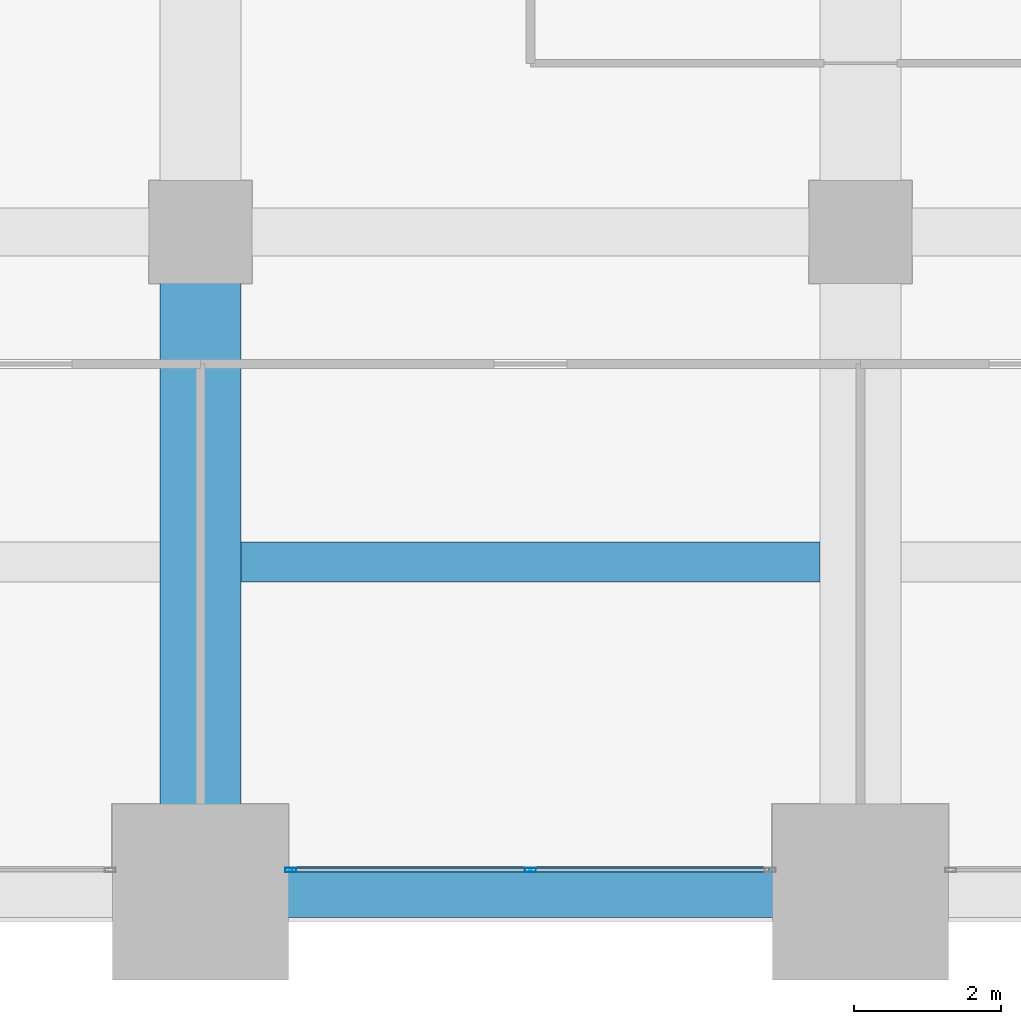
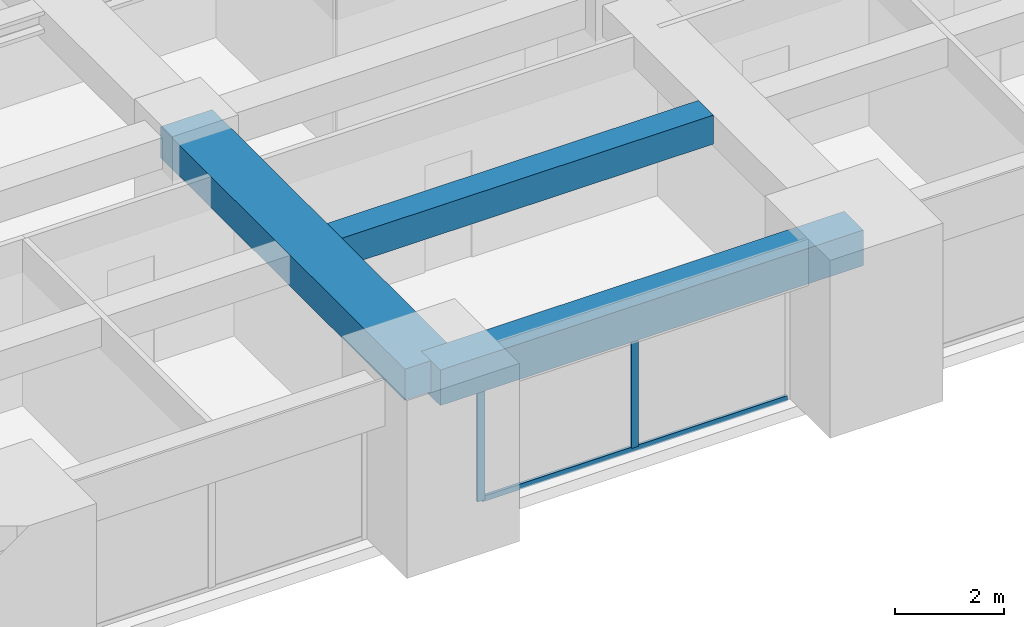
# One storey, part 7 of 34: 3 beams, 3 members, 1 element without a shape of its own.
"""IFC4 building model written with IfcOpenShell, lengths in metres."""

import ifcopenshell
import ifcopenshell.guid

model = None  # the IFC model being written
_history = None  # IfcOwnerHistory: only IFC2X3 demands one
_inside = {}  # id of a spatial element -> (the spatial element, [elements in it])
_under = {}  # id of a project, library or spatial element -> (it, [spatial elements below it])
_declared = {}  # id of a project -> (the project, [libraries it declares])
_typed = {}  # id of a type object -> (the type object, [elements of that type])
_made_of = {}  # id of a material, layer set ... -> (it, [elements and type objects made of it])


def new_model(schema):
    """Start an empty IFC model of exactly this schema.

    Asked for "IFC4X3", IfcOpenShell would pick the latest addendum, in which some entities
    have other attributes; the version numbers below select the first issue.
    IFC2X3 requires an IfcOwnerHistory on every rooted entity: one is made here for all.
    """
    global model, _history
    if schema == "IFC4X3":
        model = ifcopenshell.file(schema_version=(4, 3, 0, 0))
    else:
        model = ifcopenshell.file(schema=schema)
    _inside.clear()
    _under.clear()
    _declared.clear()
    _typed.clear()
    _made_of.clear()
    _history = None
    if model.schema == "IFC2X3":
        org = make("IfcOrganization", Name="unknown")
        user = make(
            "IfcPersonAndOrganization",
            ThePerson=make("IfcPerson", FamilyName="unknown"),
            TheOrganization=org,
        )
        app = make(
            "IfcApplication",
            ApplicationDeveloper=org,
            Version="unknown",
            ApplicationFullName="unknown",
            ApplicationIdentifier="unknown",
        )
        _history = make(
            "IfcOwnerHistory",
            OwningUser=user,
            OwningApplication=app,
            ChangeAction="ADDED",
            CreationDate=0,
        )
    return model


def make(cls, **values):
    """One entity of the class cls with the attributes given. An attribute that is None is left unset."""
    return model.create_entity(
        cls, **{name: value for name, value in values.items() if value is not None}
    )


def rooted(cls, **values):
    """An entity with a GlobalId (a new one), such as an element, a storey or a relation."""
    return make(cls, GlobalId=ifcopenshell.guid.new(), OwnerHistory=_history, **values)


def si_unit(unit_type, name, prefix=None):
    """IfcSIUnit, for example si_unit("LENGTHUNIT", "METRE", prefix="MILLI")."""
    return make("IfcSIUnit", UnitType=unit_type, Prefix=prefix, Name=name)


def assignment(units):
    """IfcUnitAssignment: the units of a project."""
    return None if units is None else make("IfcUnitAssignment", Units=units)


def point(xyz):
    """IfcCartesianPoint."""
    return None if xyz is None else make("IfcCartesianPoint", Coordinates=xyz)


def direction(xyz):
    """IfcDirection."""
    return None if xyz is None else make("IfcDirection", DirectionRatios=xyz)


def frame(location, z_axis=None, x_axis=None):
    """IfcAxis2Placement3D, a coordinate frame: its origin and axes. An axis left out is left unset."""
    return make(
        "IfcAxis2Placement3D",
        Location=point(location),
        Axis=direction(z_axis),
        RefDirection=direction(x_axis),
    )


def frame_2d(location, x_axis=None):
    """IfcAxis2Placement2D, a coordinate frame in the plane: its origin and x axis."""
    return make(
        "IfcAxis2Placement2D", Location=point(location), RefDirection=direction(x_axis)
    )


def origin():
    """The frame at (0, 0, 0) with its axes left unset."""
    return frame((0.0, 0.0, 0.0))


def origin_2d():
    """The frame at (0, 0) in the plane with its x axis left unset."""
    return frame_2d((0.0, 0.0))


def place(relative_to, where):
    """IfcLocalPlacement: puts the frame where relative to a parent placement (None: the world)."""
    return make(
        "IfcLocalPlacement", PlacementRelTo=relative_to, RelativePlacement=where
    )


def context(
    kind, dimensions, precision=None, world=None, true_north=None, identifier=None
):
    """IfcGeometricRepresentationContext, for example the 3D "Model" context."""
    return make(
        "IfcGeometricRepresentationContext",
        ContextIdentifier=identifier,
        ContextType=kind,
        CoordinateSpaceDimension=dimensions,
        Precision=precision,
        WorldCoordinateSystem=world,
        TrueNorth=true_north,
    )


def subcontext(parent, identifier, kind, view, scale=None):
    """IfcGeometricRepresentationSubContext, for example "Body" below "Model"."""
    return make(
        "IfcGeometricRepresentationSubContext",
        ContextIdentifier=identifier,
        ContextType=kind,
        ParentContext=parent,
        TargetScale=scale,
        TargetView=view,
    )


def project(units=None, contexts=None):
    """IfcProject with its units and contexts."""
    return rooted(
        "IfcProject",
        Name="project",
        RepresentationContexts=contexts,
        UnitsInContext=assignment(units),
    )


def spatial(cls, under=None, at=None, **own):
    """A site, building, storey or space (cls), placed at a placement, below another one or the project."""
    s = rooted(cls, ObjectPlacement=at, **own)
    if under is not None:
        _under.setdefault(under.id(), (under, []))[1].append(s)
    return s


def profile(cls, at=None, kind="AREA", **sizes):
    """A parametric profile (cls). Its sizes go by their IFC names, for example OverallWidth=200.0."""
    return make(cls, ProfileType=kind, Position=at, **sizes)


def rectangle(**sizes):
    """IfcRectangleProfileDef."""
    return profile("IfcRectangleProfileDef", **sizes)


def hollow_rectangle(**sizes):
    """IfcRectangleHollowProfileDef."""
    return profile("IfcRectangleHollowProfileDef", **sizes)


def extrude(swept, where, along, depth):
    """IfcExtrudedAreaSolid: the profile swept, set in the frame where, extruded along a direction by depth."""
    return make(
        "IfcExtrudedAreaSolid",
        SweptArea=swept,
        Position=where,
        ExtrudedDirection=direction(along),
        Depth=depth,
    )


def shape(context_of_items, identifier, shape_type, items):
    """IfcShapeRepresentation: the items that make up one representation, for example the "Body"."""
    return make(
        "IfcShapeRepresentation",
        ContextOfItems=context_of_items,
        RepresentationIdentifier=identifier,
        RepresentationType=shape_type,
        Items=items,
    )


def material(Name=None, Category=None):
    """IfcMaterial."""
    return make("IfcMaterial", Name=Name, Category=Category)


def material_profile(
    of_material, cross_section, Name=None, Category=None, Priority=None
):
    """IfcMaterialProfile: a cross section and its material."""
    return make(
        "IfcMaterialProfile",
        Name=Name,
        Material=of_material,
        Profile=cross_section,
        Priority=Priority,
        Category=Category,
    )


def profile_set(profiles, Name=None, composite=None):
    """IfcMaterialProfileSet."""
    return make(
        "IfcMaterialProfileSet",
        Name=Name,
        MaterialProfiles=profiles,
        CompositeProfile=composite,
    )


def made_of(thing, what):
    """Note that an element or type object is made of a material, layer set ...; save() writes the relation."""
    if what is not None:
        _made_of.setdefault(what.id(), (what, []))[1].append(thing)
    return thing


def type_object(cls, material=None, **own):
    """A type object (cls), such as IfcWallType, which elements share."""
    return made_of(rooted(cls, **own), material)


def element(
    cls,
    number,
    at=None,
    inside=None,
    cuts=None,
    type_object=None,
    material=None,
    context=None,
    identifier="Body",
    shape_type=None,
    held_by="IfcProductDefinitionShape",
    body=None,
    shapes=None,
    **own,
):
    """One element of the class cls, such as IfcWall. Its Tag is "e" and its number.

    at: its placement. inside: the storey or other place that contains it. cuts: it is an
    opening in that element (IfcRelVoidsElement). A single representation is given by context,
    identifier, shape_type and body (its items); several are given by shapes. held_by: the class
    of the entity that holds the representations. save() writes the other relations.
    """
    e = rooted(cls, Tag="e%d" % number, ObjectPlacement=at, **own)
    if body is not None:
        shapes = [shape(context, identifier, shape_type, body)]
    if shapes is not None:
        e.Representation = make(held_by, Representations=shapes)
    if inside is not None:
        _inside.setdefault(inside.id(), (inside, []))[1].append(e)
    if cuts is not None:
        rooted(
            "IfcRelVoidsElement", RelatingBuildingElement=cuts, RelatedOpeningElement=e
        )
    if type_object is not None:
        _typed.setdefault(type_object.id(), (type_object, []))[1].append(e)
    return made_of(e, material)


def aggregate(whole, parts):
    """IfcRelAggregates: a whole, such as a stair, and the parts it consists of."""
    return rooted("IfcRelAggregates", RelatingObject=whole, RelatedObjects=parts)


def save(model, path):
    """Write the relations noted so far, then the file.

    IfcRelAggregates (storeys below a building ...), IfcRelContainedInSpatialStructure (elements
    in a storey), IfcRelDefinesByType, IfcRelAssociatesMaterial and IfcRelDeclares: one each for
    every whole, place, type object, material and project.
    """
    for whole, parts in _under.values():
        aggregate(whole, parts)
    for where, things in _inside.values():
        rooted(
            "IfcRelContainedInSpatialStructure",
            RelatedElements=things,
            RelatingStructure=where,
        )
    for kind, things in _typed.values():
        rooted("IfcRelDefinesByType", RelatedObjects=things, RelatingType=kind)
    for what, things in _made_of.values():
        rooted("IfcRelAssociatesMaterial", RelatedObjects=things, RelatingMaterial=what)
    for by, libraries in _declared.values():
        rooted("IfcRelDeclares", RelatingContext=by, RelatedDefinitions=libraries)
    model.write(path)


model = new_model("IFC4")

# Units and contexts
model_context = context("Model", 3, precision=1e-05, world=origin(), true_north=direction((0.0, 1.0)))
body_context = subcontext(model_context, "Body", "Model", "MODEL_VIEW")
ifc_project = project(units=[si_unit("LENGTHUNIT", "METRE"), si_unit("AREAUNIT", "SQUARE_METRE"), si_unit("VOLUMEUNIT", "CUBIC_METRE"), si_unit("PLANEANGLEUNIT", "RADIAN"), si_unit("MASSUNIT", "GRAM", prefix="KILO")], contexts=[model_context])

# Site, building, storey
site_placement = place(None, origin())
site = spatial("IfcSite", under=ifc_project, at=site_placement, CompositionType="ELEMENT")
building_placement = place(site_placement, origin())
building = spatial("IfcBuilding", under=site, at=building_placement, Name="Zorevar Civic Tower", CompositionType="ELEMENT")
storey_placement = place(building_placement, frame((0.0, 0.0, 214.199951171875)))
storey = spatial("IfcBuildingStorey", under=building, at=storey_placement, Name="L52", CompositionType="ELEMENT", Elevation=214.199951171875)

# Beams
ifc_material_1 = material(Name="Concrete C50/60", Category="concrete")
ifc_material_profile_1 = material_profile(ifc_material_1, rectangle(XDim=1.10009765625, YDim=0.699951171875, at=origin_2d()), Name="RC 1100x700")
ifc_profile_set_1 = profile_set([ifc_material_profile_1], Name="Concrete C50/60")
beam_type_1 = type_object("IfcBeamType", Name="Beam RC 1100x700", PredefinedType="BEAM", material=ifc_profile_set_1)
beam_1_placement = place(storey_placement, frame((27.0, 0.0, 3.400146484375), z_axis=(0.0, 1.0, 0.0), x_axis=(-1.0, 0.0, 0.0)))
element("IfcBeam", 1, at=beam_1_placement, inside=storey, type_object=beam_type_1, Name="Girder L53", PredefinedType="BEAM", context=body_context, shape_type="SweptSolid", body=[
    extrude(rectangle(XDim=1.10009765625, YDim=0.699951171875, at=origin_2d()), origin(), (0.0, 0.0, 1.0), 9.0),
])
ifc_material_2 = material(Name="Concrete C50/60", Category="concrete")
ifc_material_profile_2 = material_profile(ifc_material_2, rectangle(XDim=0.550048828125, YDim=0.64990234375, at=origin_2d()), Name="RC 550x650")
ifc_profile_set_2 = profile_set([ifc_material_profile_2], Name="Concrete C50/60")
beam_type_2 = type_object("IfcBeamType", Name="Beam RC 550x650", PredefinedType="BEAM", material=ifc_profile_set_2)
beam_2_placement = place(storey_placement, frame((27.550048828125, 4.5, 3.425048828125), z_axis=(1.0, 0.0, 0.0), x_axis=(0.0, 1.0, 0.0)))
element("IfcBeam", 2, at=beam_2_placement, inside=storey, type_object=beam_type_2, Name="Secondary beam L53", PredefinedType="BEAM", context=body_context, shape_type="SweptSolid", body=[
    extrude(rectangle(XDim=0.550048828125, YDim=0.64990234375, at=origin_2d()), origin(), (0.0, 0.0, 1.0), 7.89990234375),
])

# Curtain wall, members
ifc_material_3 = material(Name="Dark grey solar-control glass in black aluminium frame", Category="aluminium")
curtain_wall_type = type_object("IfcCurtainWallType", Name="Curtain wall CW4 high zone", PredefinedType="NOTDEFINED", material=ifc_material_3)
curtain_wall_placement = place(storey_placement, origin())
curtain_wall = element("IfcCurtainWall", 3, at=curtain_wall_placement, inside=storey, type_object=curtain_wall_type, Name="CW4 L52", PredefinedType="NOTDEFINED")
ifc_material_4 = material(Name="Aluminium, black anodised", Category="aluminium")
ifc_material_profile_3 = material_profile(ifc_material_4, hollow_rectangle(XDim=0.06005859375, YDim=0.14990234375, WallThickness=0.00390625, at=origin_2d()), Name="AL 150x60x4")
ifc_profile_set_3 = profile_set([ifc_material_profile_3], Name="Aluminium, black anodised")
member_type_1 = type_object("IfcMemberType", Name="CW4 mullion AL 150x60x4", PredefinedType="MULLION", material=ifc_profile_set_3)
member_1_placement = place(storey_placement, frame((28.22998046875, 0.300048828125, 0.0), z_axis=(0.0, 0.0, 1.0), x_axis=(0.0, 1.0, 0.0)))
member_1 = element("IfcMember", 4, at=member_1_placement, type_object=member_type_1, Name="CW4 mullion 1", PredefinedType="MULLION", context=body_context, shape_type="SweptSolid", body=[
    extrude(hollow_rectangle(XDim=0.06005859375, YDim=0.14990234375, WallThickness=0.00390625, at=origin_2d()), origin(), (0.0, 0.0, 1.0), 2.949951171875),
])
member_2_placement = place(storey_placement, frame((31.5, 0.300048828125, 0.06005859375), z_axis=(0.0, 0.0, 1.0), x_axis=(0.0, 1.0, 0.0)))
member_2 = element("IfcMember", 5, at=member_2_placement, type_object=member_type_1, Name="CW4 mullion 2", PredefinedType="MULLION", context=body_context, shape_type="SweptSolid", body=[
    extrude(hollow_rectangle(XDim=0.06005859375, YDim=0.14990234375, WallThickness=0.00390625, at=origin_2d()), origin(), (0.0, 0.0, 1.0), 2.889892578125),
])
ifc_material_5 = material(Name="Aluminium, black anodised", Category="aluminium")
ifc_material_profile_4 = material_profile(ifc_material_5, hollow_rectangle(XDim=0.06005859375, YDim=0.1201171875, WallThickness=0.0029296875, at=origin_2d()), Name="AL 120x60x3")
ifc_profile_set_4 = profile_set([ifc_material_profile_4], Name="Aluminium, black anodised")
member_type_2 = type_object("IfcMemberType", Name="CW4 transom AL 120x60x3", PredefinedType="USERDEFINED", material=ifc_profile_set_4)
member_3_placement = place(storey_placement, frame((28.260009765625, 0.300048828125, 0.030029296875), z_axis=(1.0, 0.0, 0.0), x_axis=(0.0, 1.0, 0.0)))
member_3 = element("IfcMember", 6, at=member_3_placement, type_object=member_type_2, Name="CW4 sill transom", ObjectType="TRANSOM", PredefinedType="USERDEFINED", context=body_context, shape_type="SweptSolid", body=[
    extrude(hollow_rectangle(XDim=0.06005859375, YDim=0.1201171875, WallThickness=0.0029296875, at=origin_2d()), origin(), (0.0, 0.0, 1.0), 6.47998046875),
])
aggregate(curtain_wall, [member_1, member_2, member_3])

# Beam
ifc_material_6 = material(Name="Concrete C50/60", Category="concrete")
ifc_material_profile_5 = material_profile(ifc_material_6, rectangle(XDim=0.699951171875, YDim=0.800048828125, at=origin_2d()), Name="RC 700x800")
ifc_profile_set_5 = profile_set([ifc_material_profile_5], Name="Concrete C50/60")
beam_type_3 = type_object("IfcBeamType", Name="Edge beam RC 700x800", PredefinedType="SPANDREL", material=ifc_profile_set_5)
beam_3_placement = place(storey_placement, frame((27.0, 0.0, 3.35009765625), z_axis=(1.0, 0.0, 0.0), x_axis=(0.0, 1.0, 0.0)))
element("IfcBeam", 7, at=beam_3_placement, inside=storey, type_object=beam_type_3, Name="Edge beam L53", PredefinedType="SPANDREL", context=body_context, shape_type="SweptSolid", body=[
    extrude(rectangle(XDim=0.699951171875, YDim=0.800048828125, at=origin_2d()), origin(), (0.0, 0.0, 1.0), 9.0),
])

save(model, "model.ifc")
